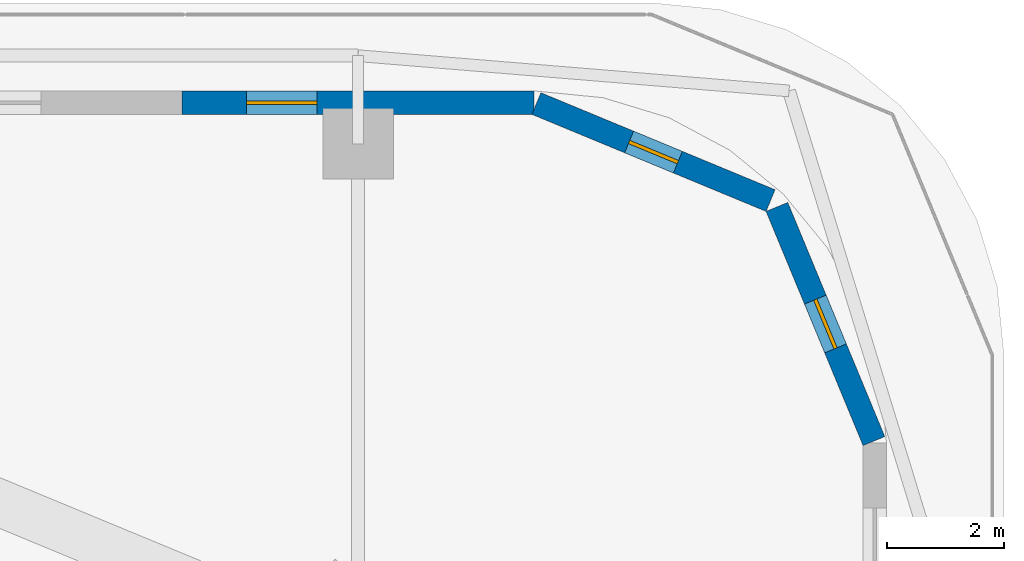
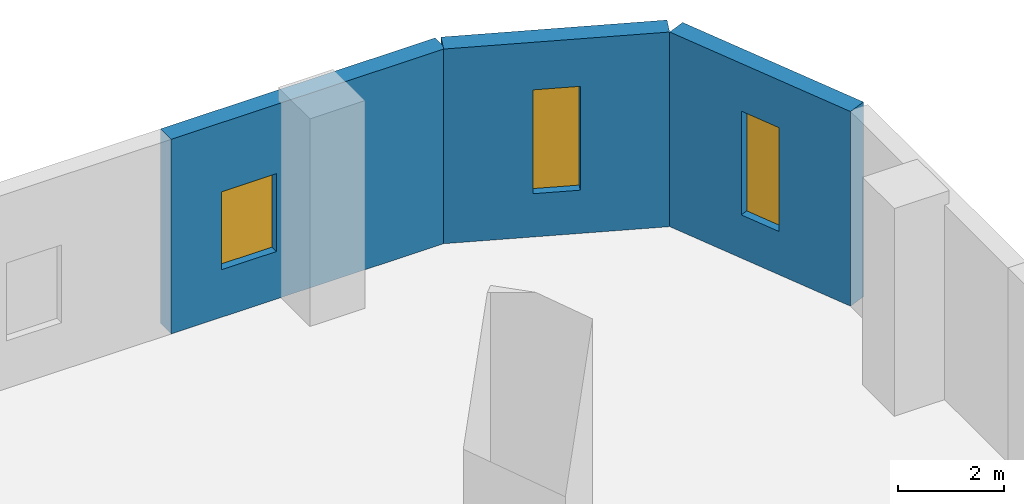
# One storey, part 11 of 16: 3 walls, 3 windows, 3 openings.
"""IFC4 building model written with IfcOpenShell, lengths in metres."""

from ifc_helpers import new_model, si_unit, direction, frame, frame_2d, origin, place, context, subcontext, project, spatial, rectangle, extrude, material, layer, layer_set, type_object, element, fill, save


model = new_model("IFC4")

# Units and contexts
model_context = context("Model", 3, precision=1e-05, world=origin(), true_north=direction((0.0, 1.0)))
body_context = subcontext(model_context, "Body", "Model", "MODEL_VIEW")
ifc_project = project(units=[si_unit("LENGTHUNIT", "METRE"), si_unit("AREAUNIT", "SQUARE_METRE"), si_unit("VOLUMEUNIT", "CUBIC_METRE"), si_unit("PLANEANGLEUNIT", "RADIAN"), si_unit("MASSUNIT", "GRAM", prefix="KILO")], contexts=[model_context])

# Site, building, storey
site_placement = place(None, origin())
site = spatial("IfcSite", under=ifc_project, at=site_placement, CompositionType="ELEMENT")
building_placement = place(site_placement, origin())
building = spatial("IfcBuilding", under=site, at=building_placement, Name="Ogive Gate Towers", CompositionType="ELEMENT")
storey_placement = place(building_placement, frame((0.0, 0.0, 22.800048828125)))
storey = spatial("IfcBuildingStorey", under=building, at=storey_placement, Name="L04", CompositionType="ELEMENT", Elevation=22.800048828125)

# Wall, opening, window
ifc_material_1 = material(Name="Precast concrete C40/50", Category="concrete")
ifc_layer = layer(ifc_material_1, 0.39990234375)
ifc_layer_set = layer_set([ifc_layer], Name="Podium wall 400")
wall_type = type_object("IfcWallType", Name="Podium wall 400", PredefinedType="SOLIDWALL", material=ifc_layer_set)
wall_1_placement = place(storey_placement, frame((62.784912109375, 21.036865234375, 0.0), z_axis=(0.0, 0.0, 1.0), x_axis=(-0.382743086333, 0.923854820772, 0.0)))
wall_1 = element("IfcWall", 1, at=wall_1_placement, inside=storey, type_object=wall_type, Name="Podium wall", PredefinedType="SOLIDWALL", context=body_context, shape_type="SweptSolid", body=[
    extrude(rectangle(XDim=4.31640625, YDim=0.39990234375, at=frame_2d((2.158203125, 0.0))), origin(), (0.0, 0.0, 1.0), 4.5),
])
opening_1_placement = place(wall_1_placement, frame((1.708251953125, 0.0, 1.0)))
opening_1 = element("IfcOpeningElement", 2, at=opening_1_placement, cuts=wall_1, Name="Opening WN5", PredefinedType="OPENING", context=body_context, shape_type="SweptSolid", body=[
    extrude(rectangle(XDim=0.89990234375, YDim=2.39990234375, at=frame_2d((0.449951171875, 1.199951171875))), frame((0.0, 0.2099609375, 0.0), z_axis=(0.0, -1.0, 0.0), x_axis=(1.0, 0.0, 0.0)), (0.0, 0.0, 1.0), 0.419921875),
])
ifc_material_2 = material(Name="Clear glass", Category="glass")
window_type_1 = type_object("IfcWindowType", Name="Narrow window 900 x 2400", PartitioningType="SINGLE_PANEL", PredefinedType="WINDOW", material=ifc_material_2)
window_1_placement = place(opening_1_placement, origin())
window_1 = element("IfcWindow", 3, at=window_1_placement, inside=storey, type_object=window_type_1, Name="Podium window", OverallHeight=2.39990234375, OverallWidth=0.89990234375, PartitioningType="SINGLE_PANEL", PredefinedType="WINDOW", context=body_context, shape_type="SweptSolid", body=[
    extrude(rectangle(XDim=0.89990234375, YDim=2.39990234375, at=frame_2d((0.449951171875, 1.199951171875))), frame((0.0, 0.030029296875, 0.0), z_axis=(0.0, -1.0, 0.0), x_axis=(1.0, 0.0, 0.0)), (0.0, 0.0, 1.0), 0.06005859375),
])
fill(opening_1, window_1)

wall_2_placement = place(storey_placement, frame((61.024658203125, 25.1328125, 0.0), z_axis=(0.0, 0.0, 1.0), x_axis=(-0.923854820772, 0.382743086333, 0.0)))
wall_2 = element("IfcWall", 4, at=wall_2_placement, inside=storey, type_object=wall_type, Name="Podium wall", PredefinedType="SOLIDWALL", context=body_context, shape_type="SweptSolid", body=[
    extrude(rectangle(XDim=4.31640625, YDim=0.39990234375, at=frame_2d((2.158203125, 0.0))), origin(), (0.0, 0.0, 1.0), 4.5),
])
opening_2_placement = place(wall_2_placement, frame((1.708251953125, 0.0, 1.0)))
opening_2 = element("IfcOpeningElement", 5, at=opening_2_placement, cuts=wall_2, Name="Opening WN5", PredefinedType="OPENING", context=body_context, shape_type="SweptSolid", body=[
    extrude(rectangle(XDim=0.89990234375, YDim=2.39990234375, at=frame_2d((0.449951171875, 1.199951171875))), frame((0.0, 0.2099609375, 0.0), z_axis=(0.0, -1.0, 0.0), x_axis=(1.0, 0.0, 0.0)), (0.0, 0.0, 1.0), 0.419921875),
])
window_2_placement = place(opening_2_placement, origin())
window_2 = element("IfcWindow", 6, at=window_2_placement, inside=storey, type_object=window_type_1, Name="Podium window", OverallHeight=2.39990234375, OverallWidth=0.89990234375, PartitioningType="SINGLE_PANEL", PredefinedType="WINDOW", context=body_context, shape_type="SweptSolid", body=[
    extrude(rectangle(XDim=0.89990234375, YDim=2.39990234375, at=frame_2d((0.449951171875, 1.199951171875))), frame((0.0, 0.030029296875, 0.0), z_axis=(0.0, -1.0, 0.0), x_axis=(1.0, 0.0, 0.0)), (0.0, 0.0, 1.0), 0.06005859375),
])
fill(opening_2, window_2)

wall_3_placement = place(storey_placement, frame((57.0, 26.800048828125, 0.0), z_axis=(0.0, 0.0, 1.0), x_axis=(-1.0, 0.0, 0.0)))
wall_3 = element("IfcWall", 7, at=wall_3_placement, inside=storey, type_object=wall_type, Name="Podium wall", PredefinedType="SOLIDWALL", context=body_context, shape_type="SweptSolid", body=[
    extrude(rectangle(XDim=6.0, YDim=0.39990234375, at=frame_2d((3.0, 0.0))), origin(), (0.0, 0.0, 1.0), 4.5),
])
opening_3_placement = place(wall_3_placement, frame((3.699951171875, 0.0, 1.10009765625)))
opening_3 = element("IfcOpeningElement", 8, at=opening_3_placement, cuts=wall_3, Name="Opening WN3", PredefinedType="OPENING", context=body_context, shape_type="SweptSolid", body=[
    extrude(rectangle(XDim=1.199951171875, YDim=1.800048828125, at=frame_2d((0.60009765625, 0.89990234375))), frame((0.0, 0.2099609375, 0.0), z_axis=(0.0, -1.0, 0.0), x_axis=(1.0, 0.0, 0.0)), (0.0, 0.0, 1.0), 0.419921875),
])
window_type_2 = type_object("IfcWindowType", Name="Podium window 1200 x 1800", PartitioningType="SINGLE_PANEL", PredefinedType="WINDOW", material=ifc_material_2)
window_3_placement = place(opening_3_placement, origin())
window_3 = element("IfcWindow", 9, at=window_3_placement, inside=storey, type_object=window_type_2, Name="Podium window", OverallHeight=1.800048828125, OverallWidth=1.199951171875, PartitioningType="SINGLE_PANEL", PredefinedType="WINDOW", context=body_context, shape_type="SweptSolid", body=[
    extrude(rectangle(XDim=1.199951171875, YDim=1.800048828125, at=frame_2d((0.60009765625, 0.89990234375))), frame((0.0, 0.030029296875, 0.0), z_axis=(0.0, -1.0, 0.0), x_axis=(1.0, 0.0, 0.0)), (0.0, 0.0, 1.0), 0.06005859375),
])
fill(opening_3, window_3)

save(model, "model.ifc")
